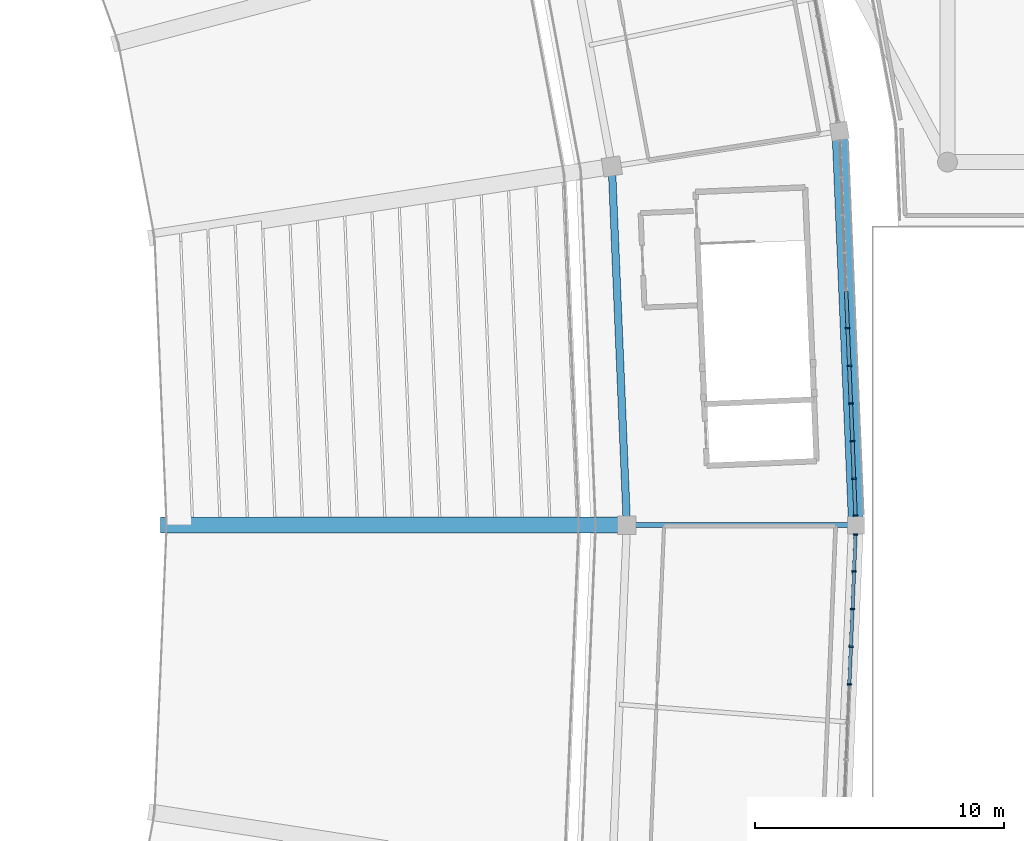
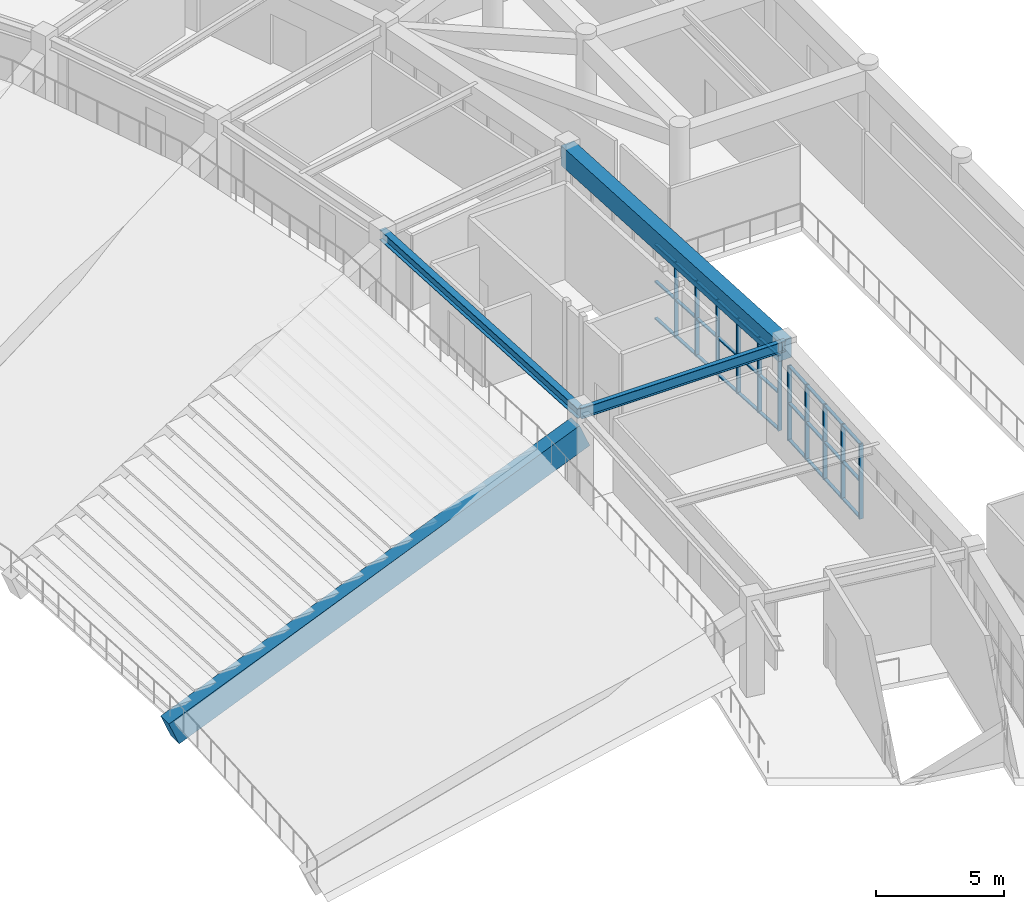
# One storey, part 46 of 137: 41 members, 4 beams, 2 elements without a shape of their own.
"""IFC4 building model written with IfcOpenShell, lengths in metres."""

from ifc_helpers import new_model, si_unit, direction, frame, origin, origin_2d, place, context, subcontext, project, spatial, rectangle, i_section, extrude, material, layer, layer_set, material_profile, profile_set, type_object, element, aggregate, save


model = new_model("IFC4")

# Units and contexts
model_context = context("Model", 3, precision=1e-05, world=origin(), true_north=direction((0.0, 1.0)))
body_context = subcontext(model_context, "Body", "Model", "MODEL_VIEW")
ifc_project = project(units=[si_unit("LENGTHUNIT", "METRE"), si_unit("AREAUNIT", "SQUARE_METRE"), si_unit("VOLUMEUNIT", "CUBIC_METRE"), si_unit("PLANEANGLEUNIT", "RADIAN"), si_unit("MASSUNIT", "GRAM", prefix="KILO")], contexts=[model_context])

# Site, building, storey
site_placement = place(None, origin())
site = spatial("IfcSite", under=ifc_project, at=site_placement, CompositionType="ELEMENT")
building_placement = place(site_placement, origin())
building = spatial("IfcBuilding", under=site, at=building_placement, Name="Mphavela Belvedere Stadium", CompositionType="ELEMENT")
storey_placement = place(building_placement, frame((0.0, 0.0, 19.199951171875)))
storey = spatial("IfcBuildingStorey", under=building, at=storey_placement, Name="L04", CompositionType="ELEMENT", Elevation=19.199951171875)

# Beams
ifc_material_1 = material(Name="Concrete C40/50", Category="concrete")
ifc_material_profile_1 = material_profile(ifc_material_1, rectangle(XDim=0.60009765625, YDim=0.949951171875, at=origin_2d()), Name="RC 600x950")
ifc_profile_set_1 = profile_set([ifc_material_profile_1], Name="Concrete C40/50")
beam_type_1 = type_object("IfcBeamType", Name="BM-ENTABLATURE-950", PredefinedType="SPANDREL", material=ifc_profile_set_1)
beam_1_placement = place(storey_placement, frame((217.820068359375, 87.0, 4.074951171875), z_axis=(-0.041903963155, 0.999121643181, 0.0), x_axis=(-0.999121643181, -0.041903963155, 0.0)))
element("IfcBeam", 1, at=beam_1_placement, inside=storey, type_object=beam_type_1, Name="Circumferential girder L04 R4-01", PredefinedType="SPANDREL", context=body_context, shape_type="SweptSolid", body=[
    extrude(rectangle(XDim=0.60009765625, YDim=0.949951171875, at=origin_2d()), origin(), (0.0, 0.0, 1.0), 15.85888671875),
])
ifc_material_2 = material(Name="Precast concrete C45/55", Category="concrete")
ifc_material_profile_2 = material_profile(ifc_material_2, rectangle(XDim=0.64990234375, YDim=1.199951171875, at=origin_2d()), Name="PC 650x1200")
ifc_profile_set_2 = profile_set([ifc_material_profile_2], Name="Precast concrete C45/55")
beam_type_2 = type_object("IfcBeamType", Name="BM-RAKER-UPPER", PredefinedType="USERDEFINED", material=ifc_profile_set_2)
beam_2_placement = place(storey_placement, frame((190.077880859375, 87.0, -4.349853515625), z_axis=(0.922539040497, 0.0, 0.385903768781), x_axis=(0.0, 1.0, 0.0)))
element("IfcBeam", 2, at=beam_2_placement, inside=storey, type_object=beam_type_2, Name="Upper tier precast cantilever raker beam RK-U-01", ObjectType="RAKER BEAM", PredefinedType="USERDEFINED", context=body_context, shape_type="SweptSolid", body=[
    extrude(rectangle(XDim=0.64990234375, YDim=1.199951171875, at=origin_2d()), origin(), (0.0, 0.0, 1.0), 20.082763671875),
])
ifc_material_3 = material(Name="Steel S355", Category="steel")
ifc_material_profile_3 = material_profile(ifc_material_3, i_section(OverallWidth=0.300048828125, OverallDepth=0.489990234375, WebThickness=0.011962890625, FlangeThickness=0.02294921875, at=origin_2d()), Name="HEA 500")
ifc_profile_set_3 = profile_set([ifc_material_profile_3], Name="Steel S355")
beam_type_3 = type_object("IfcBeamType", Name="BM-STEEL-HEA500", PredefinedType="BEAM", material=ifc_profile_set_3)
beam_3_placement = place(storey_placement, frame((208.60498046875, 87.0, 4.304931640625), z_axis=(-0.041903450766, 0.99912166467, 0.0), x_axis=(-0.99912166467, -0.041903450766, 0.0)))
element("IfcBeam", 3, at=beam_3_placement, inside=storey, type_object=beam_type_3, Name="Circumferential girder L04 R3-01", PredefinedType="BEAM", context=body_context, shape_type="SweptSolid", body=[
    extrude(i_section(OverallWidth=0.300048828125, OverallDepth=0.489990234375, WebThickness=0.011962890625, FlangeThickness=0.02294921875, at=origin_2d()), origin(), (0.0, 0.0, 1.0), 14.4375),
])
ifc_material_4 = material(Name="Steel S355", Category="steel")
ifc_material_profile_4 = material_profile(ifc_material_4, i_section(OverallWidth=0.199951171875, OverallDepth=0.5, WebThickness=0.01025390625, FlangeThickness=0.01611328125, at=origin_2d()), Name="IPE 500")
ifc_profile_set_4 = profile_set([ifc_material_profile_4], Name="Steel S355")
beam_type_4 = type_object("IfcBeamType", Name="BM-STEEL-IPE500", PredefinedType="BEAM", material=ifc_profile_set_4)
beam_4_placement = place(storey_placement, frame((208.60498046875, 87.0, 4.300048828125), z_axis=(1.0, 0.0, 0.0), x_axis=(0.0, 1.0, 0.0)))
element("IfcBeam", 4, at=beam_4_placement, inside=storey, type_object=beam_type_4, Name="Radial concourse girder L04 R3R4-01", PredefinedType="BEAM", context=body_context, shape_type="SweptSolid", body=[
    extrude(i_section(OverallWidth=0.199951171875, OverallDepth=0.5, WebThickness=0.01025390625, FlangeThickness=0.01611328125, at=origin_2d()), origin(), (0.0, 0.0, 1.0), 9.215087890625),
])

# Curtain wall, members
ifc_material_5 = material(Name="Anodised bronze unitised curtain wall framing")
ifc_layer_1 = layer(ifc_material_5, 0.199951171875)
ifc_layer_set_1 = layer_set([ifc_layer_1], Name="Anodised bronze unitised curtain wall framing")
curtain_wall_type_1 = type_object("IfcCurtainWallType", Name="CW-UNIT-05", PredefinedType="USERDEFINED", material=ifc_layer_set_1)
curtain_wall_1_placement = place(storey_placement, origin())
curtain_wall_1 = element("IfcCurtainWall", 5, at=curtain_wall_1_placement, inside=storey, type_object=curtain_wall_type_1, Name="Belvedere colonnade curtain wall L04-01", ObjectType="UNITISED CURTAIN WALL", PredefinedType="USERDEFINED")
ifc_material_6 = material(Name="Anodised bronze extruded aluminium", Category="aluminium")
ifc_material_profile_5 = material_profile(ifc_material_6, rectangle(XDim=0.179931640625, YDim=0.06494140625, at=origin_2d()), Name="CW-MUL 180x65")
ifc_profile_set_5 = profile_set([ifc_material_profile_5], Name="Anodised bronze extruded aluminium")
member_type_1 = type_object("IfcMemberType", Name="CWM-180x65", PredefinedType="MULLION", material=ifc_profile_set_5)
member_1_placement = place(storey_placement, frame((217.803955078125, 87.380126953125, 0.0), z_axis=(0.0, 0.0, 1.0), x_axis=(-0.999121605563, -0.041904860066, 0.0)))
member_1 = element("IfcMember", 6, at=member_1_placement, type_object=member_type_1, Name="CW-05 mullion 1", PredefinedType="MULLION", context=body_context, shape_type="SweptSolid", body=[
    extrude(rectangle(XDim=0.179931640625, YDim=0.06494140625, at=origin_2d()), origin(), (0.0, 0.0, 1.0), 3.570068359375),
])
member_2_placement = place(storey_placement, frame((217.741943359375, 88.862548828125, 0.0), z_axis=(0.0, 0.0, 1.0), x_axis=(-0.999121605563, -0.041904860066, 0.0)))
member_2 = element("IfcMember", 7, at=member_2_placement, type_object=member_type_1, Name="CW-05 mullion 2", PredefinedType="MULLION", context=body_context, shape_type="SweptSolid", body=[
    extrude(rectangle(XDim=0.179931640625, YDim=0.06494140625, at=origin_2d()), origin(), (0.0, 0.0, 1.0), 3.570068359375),
])
member_3_placement = place(storey_placement, frame((217.67822265625, 90.377685546875, 0.0), z_axis=(0.0, 0.0, 1.0), x_axis=(-0.999121605563, -0.041904860066, 0.0)))
member_3 = element("IfcMember", 8, at=member_3_placement, type_object=member_type_1, Name="CW-05 mullion 3", PredefinedType="MULLION", context=body_context, shape_type="SweptSolid", body=[
    extrude(rectangle(XDim=0.179931640625, YDim=0.06494140625, at=origin_2d()), origin(), (0.0, 0.0, 1.0), 3.570068359375),
])
member_4_placement = place(storey_placement, frame((217.61474609375, 91.892578125, 0.0), z_axis=(0.0, 0.0, 1.0), x_axis=(-0.999121605563, -0.041904860066, 0.0)))
member_4 = element("IfcMember", 9, at=member_4_placement, type_object=member_type_1, Name="CW-05 mullion 4", PredefinedType="MULLION", context=body_context, shape_type="SweptSolid", body=[
    extrude(rectangle(XDim=0.179931640625, YDim=0.06494140625, at=origin_2d()), origin(), (0.0, 0.0, 1.0), 3.570068359375),
])
member_5_placement = place(storey_placement, frame((217.55126953125, 93.407470703125, 0.0), z_axis=(0.0, 0.0, 1.0), x_axis=(-0.999121605563, -0.041904860066, 0.0)))
member_5 = element("IfcMember", 10, at=member_5_placement, type_object=member_type_1, Name="CW-05 mullion 5", PredefinedType="MULLION", context=body_context, shape_type="SweptSolid", body=[
    extrude(rectangle(XDim=0.179931640625, YDim=0.06494140625, at=origin_2d()), origin(), (0.0, 0.0, 1.0), 3.570068359375),
])
member_6_placement = place(storey_placement, frame((217.48779296875, 94.922607421875, 0.0), z_axis=(0.0, 0.0, 1.0), x_axis=(-0.999121605563, -0.041904860066, 0.0)))
member_6 = element("IfcMember", 11, at=member_6_placement, type_object=member_type_1, Name="CW-05 mullion 6", PredefinedType="MULLION", context=body_context, shape_type="SweptSolid", body=[
    extrude(rectangle(XDim=0.179931640625, YDim=0.06494140625, at=origin_2d()), origin(), (0.0, 0.0, 1.0), 3.570068359375),
])

ifc_material_7 = material(Name="Anodised bronze unitised curtain wall framing")
ifc_layer_2 = layer(ifc_material_7, 0.195068359375)
ifc_layer_set_2 = layer_set([ifc_layer_2], Name="Anodised bronze unitised curtain wall framing")
curtain_wall_type_2 = type_object("IfcCurtainWallType", Name="CW-UNIT-04", PredefinedType="USERDEFINED", material=ifc_layer_set_2)
curtain_wall_2_placement = place(storey_placement, origin())
curtain_wall_2 = element("IfcCurtainWall", 12, at=curtain_wall_2_placement, inside=storey, type_object=curtain_wall_type_2, Name="Belvedere colonnade curtain wall L04-48", ObjectType="UNITISED CURTAIN WALL", PredefinedType="USERDEFINED")
member_7_placement = place(storey_placement, frame((217.55126953125, 80.592529296875, 0.0), z_axis=(0.0, 0.0, 1.0), x_axis=(-0.999121605563, 0.041904860066, 0.0)))
member_7 = element("IfcMember", 13, at=member_7_placement, type_object=member_type_1, Name="CW-04 mullion 7", PredefinedType="MULLION", context=body_context, shape_type="SweptSolid", body=[
    extrude(rectangle(XDim=0.179931640625, YDim=0.06494140625, at=origin_2d()), origin(), (0.0, 0.0, 1.0), 3.570068359375),
])
member_8_placement = place(storey_placement, frame((217.61474609375, 82.107421875, 0.0), z_axis=(0.0, 0.0, 1.0), x_axis=(-0.999121605563, 0.041904860066, 0.0)))
member_8 = element("IfcMember", 14, at=member_8_placement, type_object=member_type_1, Name="CW-04 mullion 8", PredefinedType="MULLION", context=body_context, shape_type="SweptSolid", body=[
    extrude(rectangle(XDim=0.179931640625, YDim=0.06494140625, at=origin_2d()), origin(), (0.0, 0.0, 1.0), 3.570068359375),
])
member_9_placement = place(storey_placement, frame((217.67822265625, 83.622314453125, 0.0), z_axis=(0.0, 0.0, 1.0), x_axis=(-0.999121605563, 0.041904860066, 0.0)))
member_9 = element("IfcMember", 15, at=member_9_placement, type_object=member_type_1, Name="CW-04 mullion 9", PredefinedType="MULLION", context=body_context, shape_type="SweptSolid", body=[
    extrude(rectangle(XDim=0.179931640625, YDim=0.06494140625, at=origin_2d()), origin(), (0.0, 0.0, 1.0), 3.570068359375),
])
member_10_placement = place(storey_placement, frame((217.741943359375, 85.137451171875, 0.0), z_axis=(0.0, 0.0, 1.0), x_axis=(-0.999121605563, 0.041904860066, 0.0)))
member_10 = element("IfcMember", 16, at=member_10_placement, type_object=member_type_1, Name="CW-04 mullion 10", PredefinedType="MULLION", context=body_context, shape_type="SweptSolid", body=[
    extrude(rectangle(XDim=0.179931640625, YDim=0.06494140625, at=origin_2d()), origin(), (0.0, 0.0, 1.0), 3.570068359375),
])
member_11_placement = place(storey_placement, frame((217.803955078125, 86.619873046875, 0.0), z_axis=(0.0, 0.0, 1.0), x_axis=(-0.999121605563, 0.041904860066, 0.0)))
member_11 = element("IfcMember", 17, at=member_11_placement, type_object=member_type_1, Name="CW-04 mullion 11", PredefinedType="MULLION", context=body_context, shape_type="SweptSolid", body=[
    extrude(rectangle(XDim=0.179931640625, YDim=0.06494140625, at=origin_2d()), origin(), (0.0, 0.0, 1.0), 3.570068359375),
])

# Member
ifc_material_8 = material(Name="Anodised bronze extruded aluminium", Category="aluminium")
ifc_material_profile_6 = material_profile(ifc_material_8, rectangle(XDim=0.139892578125, YDim=0.06005859375, at=origin_2d()), Name="CW-TRN 140x60")
ifc_profile_set_6 = profile_set([ifc_material_profile_6], Name="Anodised bronze extruded aluminium")
member_type_2 = type_object("IfcMemberType", Name="CWT-140x60", PredefinedType="USERDEFINED", material=ifc_profile_set_6)
member_12_placement = place(storey_placement, frame((217.802734375, 87.41259765625, 0.030029296875), z_axis=(-0.041988428468, 0.999118097061, 0.0), x_axis=(-0.999118097061, -0.041988428468, 0.0)))
member_12 = element("IfcMember", 18, at=member_12_placement, type_object=member_type_2, Name="CW-05 transom 1.1", ObjectType="TRANSOM", PredefinedType="USERDEFINED", context=body_context, shape_type="SweptSolid", body=[
    extrude(rectangle(XDim=0.139892578125, YDim=0.06005859375, at=origin_2d()), origin(), (0.0, 0.0, 1.0), 1.418701171875),
])

member_13_placement = place(storey_placement, frame((217.802734375, 87.41259765625, 1.78515625), z_axis=(-0.041988428468, 0.999118097061, 0.0), x_axis=(-0.999118097061, -0.041988428468, 0.0)))
member_13 = element("IfcMember", 19, at=member_13_placement, type_object=member_type_2, Name="CW-05 transom 1.2", ObjectType="TRANSOM", PredefinedType="USERDEFINED", context=body_context, shape_type="SweptSolid", body=[
    extrude(rectangle(XDim=0.139892578125, YDim=0.06005859375, at=origin_2d()), origin(), (0.0, 0.0, 1.0), 1.418701171875),
])

member_14_placement = place(storey_placement, frame((217.802734375, 87.41259765625, 3.5400390625), z_axis=(-0.041988428468, 0.999118097061, 0.0), x_axis=(-0.999118097061, -0.041988428468, 0.0)))
member_14 = element("IfcMember", 20, at=member_14_placement, type_object=member_type_2, Name="CW-05 transom 1.3", ObjectType="TRANSOM", PredefinedType="USERDEFINED", context=body_context, shape_type="SweptSolid", body=[
    extrude(rectangle(XDim=0.139892578125, YDim=0.06005859375, at=origin_2d()), origin(), (0.0, 0.0, 1.0), 1.418701171875),
])

member_15_placement = place(storey_placement, frame((217.740478515625, 88.89501953125, 0.030029296875), z_axis=(-0.041882409795, 0.999122546913, 0.0), x_axis=(-0.999122546913, -0.041882409795, 0.0)))
member_15 = element("IfcMember", 21, at=member_15_placement, type_object=member_type_2, Name="CW-05 transom 2.1", ObjectType="TRANSOM", PredefinedType="USERDEFINED", context=body_context, shape_type="SweptSolid", body=[
    extrude(rectangle(XDim=0.139892578125, YDim=0.06005859375, at=origin_2d()), origin(), (0.0, 0.0, 1.0), 1.451416015625),
])

member_16_placement = place(storey_placement, frame((217.740478515625, 88.89501953125, 1.78515625), z_axis=(-0.041882409795, 0.999122546913, 0.0), x_axis=(-0.999122546913, -0.041882409795, 0.0)))
member_16 = element("IfcMember", 22, at=member_16_placement, type_object=member_type_2, Name="CW-05 transom 2.2", ObjectType="TRANSOM", PredefinedType="USERDEFINED", context=body_context, shape_type="SweptSolid", body=[
    extrude(rectangle(XDim=0.139892578125, YDim=0.06005859375, at=origin_2d()), origin(), (0.0, 0.0, 1.0), 1.451416015625),
])

member_17_placement = place(storey_placement, frame((217.740478515625, 88.89501953125, 3.5400390625), z_axis=(-0.041882409795, 0.999122546913, 0.0), x_axis=(-0.999122546913, -0.041882409795, 0.0)))
member_17 = element("IfcMember", 23, at=member_17_placement, type_object=member_type_2, Name="CW-05 transom 2.3", ObjectType="TRANSOM", PredefinedType="USERDEFINED", context=body_context, shape_type="SweptSolid", body=[
    extrude(rectangle(XDim=0.139892578125, YDim=0.06005859375, at=origin_2d()), origin(), (0.0, 0.0, 1.0), 1.451416015625),
])

member_18_placement = place(storey_placement, frame((217.677001953125, 90.41015625, 0.030029296875), z_axis=(-0.041889449519, 0.999122251789, 0.0), x_axis=(-0.999122251789, -0.041889449519, 0.0)))
member_18 = element("IfcMember", 24, at=member_18_placement, type_object=member_type_2, Name="CW-05 transom 3.1", ObjectType="TRANSOM", PredefinedType="USERDEFINED", context=body_context, shape_type="SweptSolid", body=[
    extrude(rectangle(XDim=0.139892578125, YDim=0.06005859375, at=origin_2d()), origin(), (0.0, 0.0, 1.0), 1.451171875),
])

member_19_placement = place(storey_placement, frame((217.677001953125, 90.41015625, 1.78515625), z_axis=(-0.041889449519, 0.999122251789, 0.0), x_axis=(-0.999122251789, -0.041889449519, 0.0)))
member_19 = element("IfcMember", 25, at=member_19_placement, type_object=member_type_2, Name="CW-05 transom 3.2", ObjectType="TRANSOM", PredefinedType="USERDEFINED", context=body_context, shape_type="SweptSolid", body=[
    extrude(rectangle(XDim=0.139892578125, YDim=0.06005859375, at=origin_2d()), origin(), (0.0, 0.0, 1.0), 1.451171875),
])

member_20_placement = place(storey_placement, frame((217.677001953125, 90.41015625, 3.5400390625), z_axis=(-0.041889449519, 0.999122251789, 0.0), x_axis=(-0.999122251789, -0.041889449519, 0.0)))
member_20 = element("IfcMember", 26, at=member_20_placement, type_object=member_type_2, Name="CW-05 transom 3.3", ObjectType="TRANSOM", PredefinedType="USERDEFINED", context=body_context, shape_type="SweptSolid", body=[
    extrude(rectangle(XDim=0.139892578125, YDim=0.06005859375, at=origin_2d()), origin(), (0.0, 0.0, 1.0), 1.451171875),
])

member_21_placement = place(storey_placement, frame((217.613525390625, 91.925048828125, 0.030029296875), z_axis=(-0.042057383264, 0.999115196818, 0.0), x_axis=(-0.999115196818, -0.042057383264, 0.0)))
member_21 = element("IfcMember", 27, at=member_21_placement, type_object=member_type_2, Name="CW-05 transom 4.1", ObjectType="TRANSOM", PredefinedType="USERDEFINED", context=body_context, shape_type="SweptSolid", body=[
    extrude(rectangle(XDim=0.139892578125, YDim=0.06005859375, at=origin_2d()), origin(), (0.0, 0.0, 1.0), 1.451171875),
])

member_22_placement = place(storey_placement, frame((217.613525390625, 91.925048828125, 1.78515625), z_axis=(-0.042057383264, 0.999115196818, 0.0), x_axis=(-0.999115196818, -0.042057383264, 0.0)))
member_22 = element("IfcMember", 28, at=member_22_placement, type_object=member_type_2, Name="CW-05 transom 4.2", ObjectType="TRANSOM", PredefinedType="USERDEFINED", context=body_context, shape_type="SweptSolid", body=[
    extrude(rectangle(XDim=0.139892578125, YDim=0.06005859375, at=origin_2d()), origin(), (0.0, 0.0, 1.0), 1.451171875),
])

member_23_placement = place(storey_placement, frame((217.613525390625, 91.925048828125, 3.5400390625), z_axis=(-0.042057383264, 0.999115196818, 0.0), x_axis=(-0.999115196818, -0.042057383264, 0.0)))
member_23 = element("IfcMember", 29, at=member_23_placement, type_object=member_type_2, Name="CW-05 transom 4.3", ObjectType="TRANSOM", PredefinedType="USERDEFINED", context=body_context, shape_type="SweptSolid", body=[
    extrude(rectangle(XDim=0.139892578125, YDim=0.06005859375, at=origin_2d()), origin(), (0.0, 0.0, 1.0), 1.451171875),
])

member_24_placement = place(storey_placement, frame((217.5498046875, 93.43994140625, 0.030029296875), z_axis=(-0.041882409795, 0.999122546913, 0.0), x_axis=(-0.999122546913, -0.041882409795, 0.0)))
member_24 = element("IfcMember", 30, at=member_24_placement, type_object=member_type_2, Name="CW-05 transom 5.1", ObjectType="TRANSOM", PredefinedType="USERDEFINED", context=body_context, shape_type="SweptSolid", body=[
    extrude(rectangle(XDim=0.139892578125, YDim=0.06005859375, at=origin_2d()), origin(), (0.0, 0.0, 1.0), 1.451416015625),
])

member_25_placement = place(storey_placement, frame((217.5498046875, 93.43994140625, 1.78515625), z_axis=(-0.041882409795, 0.999122546913, 0.0), x_axis=(-0.999122546913, -0.041882409795, 0.0)))
member_25 = element("IfcMember", 31, at=member_25_placement, type_object=member_type_2, Name="CW-05 transom 5.2", ObjectType="TRANSOM", PredefinedType="USERDEFINED", context=body_context, shape_type="SweptSolid", body=[
    extrude(rectangle(XDim=0.139892578125, YDim=0.06005859375, at=origin_2d()), origin(), (0.0, 0.0, 1.0), 1.451416015625),
])

member_26_placement = place(storey_placement, frame((217.5498046875, 93.43994140625, 3.5400390625), z_axis=(-0.041882409795, 0.999122546913, 0.0), x_axis=(-0.999122546913, -0.041882409795, 0.0)))
member_26 = element("IfcMember", 32, at=member_26_placement, type_object=member_type_2, Name="CW-05 transom 5.3", ObjectType="TRANSOM", PredefinedType="USERDEFINED", context=body_context, shape_type="SweptSolid", body=[
    extrude(rectangle(XDim=0.139892578125, YDim=0.06005859375, at=origin_2d()), origin(), (0.0, 0.0, 1.0), 1.451416015625),
])

member_27_placement = place(storey_placement, frame((217.486328125, 94.955078125, 0.030029296875), z_axis=(-0.041889449519, 0.999122251789, 0.0), x_axis=(-0.999122251789, -0.041889449519, 0.0)))
member_27 = element("IfcMember", 33, at=member_27_placement, type_object=member_type_2, Name="CW-05 transom 6.1", ObjectType="TRANSOM", PredefinedType="USERDEFINED", context=body_context, shape_type="SweptSolid", body=[
    extrude(rectangle(XDim=0.139892578125, YDim=0.06005859375, at=origin_2d()), origin(), (0.0, 0.0, 1.0), 1.451171875),
])

member_28_placement = place(storey_placement, frame((217.486328125, 94.955078125, 1.78515625), z_axis=(-0.041889449519, 0.999122251789, 0.0), x_axis=(-0.999122251789, -0.041889449519, 0.0)))
member_28 = element("IfcMember", 34, at=member_28_placement, type_object=member_type_2, Name="CW-05 transom 6.2", ObjectType="TRANSOM", PredefinedType="USERDEFINED", context=body_context, shape_type="SweptSolid", body=[
    extrude(rectangle(XDim=0.139892578125, YDim=0.06005859375, at=origin_2d()), origin(), (0.0, 0.0, 1.0), 1.451171875),
])

member_29_placement = place(storey_placement, frame((217.486328125, 94.955078125, 3.5400390625), z_axis=(-0.041889449519, 0.999122251789, 0.0), x_axis=(-0.999122251789, -0.041889449519, 0.0)))
member_29 = element("IfcMember", 35, at=member_29_placement, type_object=member_type_2, Name="CW-05 transom 6.3", ObjectType="TRANSOM", PredefinedType="USERDEFINED", context=body_context, shape_type="SweptSolid", body=[
    extrude(rectangle(XDim=0.139892578125, YDim=0.06005859375, at=origin_2d()), origin(), (0.0, 0.0, 1.0), 1.451171875),
])

aggregate(curtain_wall_1, [member_1, member_2, member_3, member_4, member_5, member_6, member_12, member_13, member_14, member_15, member_16, member_17, member_18, member_19, member_20, member_21, member_22, member_23, member_24, member_25, member_26, member_27, member_28, member_29])

member_30_placement = place(storey_placement, frame((217.552490234375, 80.625, 0.030029296875), z_axis=(0.042057383264, 0.999115196818, 0.0), x_axis=(-0.999115196818, 0.042057383264, 0.0)))
member_30 = element("IfcMember", 36, at=member_30_placement, type_object=member_type_2, Name="CW-04 transom 7.1", ObjectType="TRANSOM", PredefinedType="USERDEFINED", context=body_context, shape_type="SweptSolid", body=[
    extrude(rectangle(XDim=0.139892578125, YDim=0.06005859375, at=origin_2d()), origin(), (0.0, 0.0, 1.0), 1.451171875),
])

member_31_placement = place(storey_placement, frame((217.552490234375, 80.625, 1.78515625), z_axis=(0.042057383264, 0.999115196818, 0.0), x_axis=(-0.999115196818, 0.042057383264, 0.0)))
member_31 = element("IfcMember", 37, at=member_31_placement, type_object=member_type_2, Name="CW-04 transom 7.2", ObjectType="TRANSOM", PredefinedType="USERDEFINED", context=body_context, shape_type="SweptSolid", body=[
    extrude(rectangle(XDim=0.139892578125, YDim=0.06005859375, at=origin_2d()), origin(), (0.0, 0.0, 1.0), 1.451171875),
])

member_32_placement = place(storey_placement, frame((217.552490234375, 80.625, 3.5400390625), z_axis=(0.042057383264, 0.999115196818, 0.0), x_axis=(-0.999115196818, 0.042057383264, 0.0)))
member_32 = element("IfcMember", 38, at=member_32_placement, type_object=member_type_2, Name="CW-04 transom 7.3", ObjectType="TRANSOM", PredefinedType="USERDEFINED", context=body_context, shape_type="SweptSolid", body=[
    extrude(rectangle(XDim=0.139892578125, YDim=0.06005859375, at=origin_2d()), origin(), (0.0, 0.0, 1.0), 1.451171875),
])

member_33_placement = place(storey_placement, frame((217.6162109375, 82.139892578125, 0.030029296875), z_axis=(0.041889449519, 0.999122251789, 0.0), x_axis=(-0.999122251789, 0.041889449519, 0.0)))
member_33 = element("IfcMember", 39, at=member_33_placement, type_object=member_type_2, Name="CW-04 transom 8.1", ObjectType="TRANSOM", PredefinedType="USERDEFINED", context=body_context, shape_type="SweptSolid", body=[
    extrude(rectangle(XDim=0.139892578125, YDim=0.06005859375, at=origin_2d()), origin(), (0.0, 0.0, 1.0), 1.451171875),
])

member_34_placement = place(storey_placement, frame((217.6162109375, 82.139892578125, 1.78515625), z_axis=(0.041889449519, 0.999122251789, 0.0), x_axis=(-0.999122251789, 0.041889449519, 0.0)))
member_34 = element("IfcMember", 40, at=member_34_placement, type_object=member_type_2, Name="CW-04 transom 8.2", ObjectType="TRANSOM", PredefinedType="USERDEFINED", context=body_context, shape_type="SweptSolid", body=[
    extrude(rectangle(XDim=0.139892578125, YDim=0.06005859375, at=origin_2d()), origin(), (0.0, 0.0, 1.0), 1.451171875),
])

member_35_placement = place(storey_placement, frame((217.6162109375, 82.139892578125, 3.5400390625), z_axis=(0.041889449519, 0.999122251789, 0.0), x_axis=(-0.999122251789, 0.041889449519, 0.0)))
member_35 = element("IfcMember", 41, at=member_35_placement, type_object=member_type_2, Name="CW-04 transom 8.3", ObjectType="TRANSOM", PredefinedType="USERDEFINED", context=body_context, shape_type="SweptSolid", body=[
    extrude(rectangle(XDim=0.139892578125, YDim=0.06005859375, at=origin_2d()), origin(), (0.0, 0.0, 1.0), 1.451171875),
])

member_36_placement = place(storey_placement, frame((217.6796875, 83.65478515625, 0.030029296875), z_axis=(0.041882409795, 0.999122546913, 0.0), x_axis=(-0.999122546913, 0.041882409795, 0.0)))
member_36 = element("IfcMember", 42, at=member_36_placement, type_object=member_type_2, Name="CW-04 transom 9.1", ObjectType="TRANSOM", PredefinedType="USERDEFINED", context=body_context, shape_type="SweptSolid", body=[
    extrude(rectangle(XDim=0.139892578125, YDim=0.06005859375, at=origin_2d()), origin(), (0.0, 0.0, 1.0), 1.451416015625),
])

member_37_placement = place(storey_placement, frame((217.6796875, 83.65478515625, 1.78515625), z_axis=(0.041882409795, 0.999122546913, 0.0), x_axis=(-0.999122546913, 0.041882409795, 0.0)))
member_37 = element("IfcMember", 43, at=member_37_placement, type_object=member_type_2, Name="CW-04 transom 9.2", ObjectType="TRANSOM", PredefinedType="USERDEFINED", context=body_context, shape_type="SweptSolid", body=[
    extrude(rectangle(XDim=0.139892578125, YDim=0.06005859375, at=origin_2d()), origin(), (0.0, 0.0, 1.0), 1.451416015625),
])

member_38_placement = place(storey_placement, frame((217.6796875, 83.65478515625, 3.5400390625), z_axis=(0.041882409795, 0.999122546913, 0.0), x_axis=(-0.999122546913, 0.041882409795, 0.0)))
member_38 = element("IfcMember", 44, at=member_38_placement, type_object=member_type_2, Name="CW-04 transom 9.3", ObjectType="TRANSOM", PredefinedType="USERDEFINED", context=body_context, shape_type="SweptSolid", body=[
    extrude(rectangle(XDim=0.139892578125, YDim=0.06005859375, at=origin_2d()), origin(), (0.0, 0.0, 1.0), 1.451416015625),
])

member_39_placement = place(storey_placement, frame((217.7431640625, 85.169921875, 0.030029296875), z_axis=(0.041988428468, 0.999118097061, 0.0), x_axis=(-0.999118097061, 0.041988428468, 0.0)))
member_39 = element("IfcMember", 45, at=member_39_placement, type_object=member_type_2, Name="CW-04 transom 10.1", ObjectType="TRANSOM", PredefinedType="USERDEFINED", context=body_context, shape_type="SweptSolid", body=[
    extrude(rectangle(XDim=0.139892578125, YDim=0.06005859375, at=origin_2d()), origin(), (0.0, 0.0, 1.0), 1.418701171875),
])

member_40_placement = place(storey_placement, frame((217.7431640625, 85.169921875, 1.78515625), z_axis=(0.041988428468, 0.999118097061, 0.0), x_axis=(-0.999118097061, 0.041988428468, 0.0)))
member_40 = element("IfcMember", 46, at=member_40_placement, type_object=member_type_2, Name="CW-04 transom 10.2", ObjectType="TRANSOM", PredefinedType="USERDEFINED", context=body_context, shape_type="SweptSolid", body=[
    extrude(rectangle(XDim=0.139892578125, YDim=0.06005859375, at=origin_2d()), origin(), (0.0, 0.0, 1.0), 1.418701171875),
])

member_41_placement = place(storey_placement, frame((217.7431640625, 85.169921875, 3.5400390625), z_axis=(0.041988428468, 0.999118097061, 0.0), x_axis=(-0.999118097061, 0.041988428468, 0.0)))
member_41 = element("IfcMember", 47, at=member_41_placement, type_object=member_type_2, Name="CW-04 transom 10.3", ObjectType="TRANSOM", PredefinedType="USERDEFINED", context=body_context, shape_type="SweptSolid", body=[
    extrude(rectangle(XDim=0.139892578125, YDim=0.06005859375, at=origin_2d()), origin(), (0.0, 0.0, 1.0), 1.418701171875),
])

aggregate(curtain_wall_2, [member_7, member_8, member_9, member_10, member_11, member_30, member_31, member_32, member_33, member_34, member_35, member_36, member_37, member_38, member_39, member_40, member_41])

save(model, "model.ifc")
